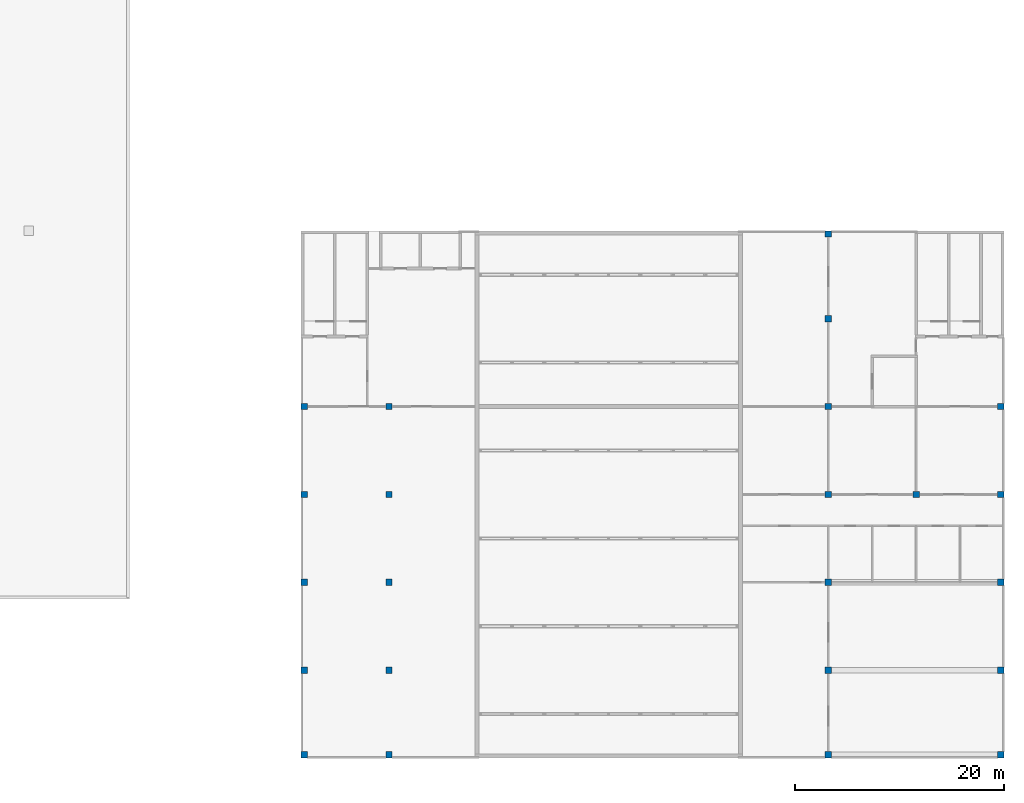
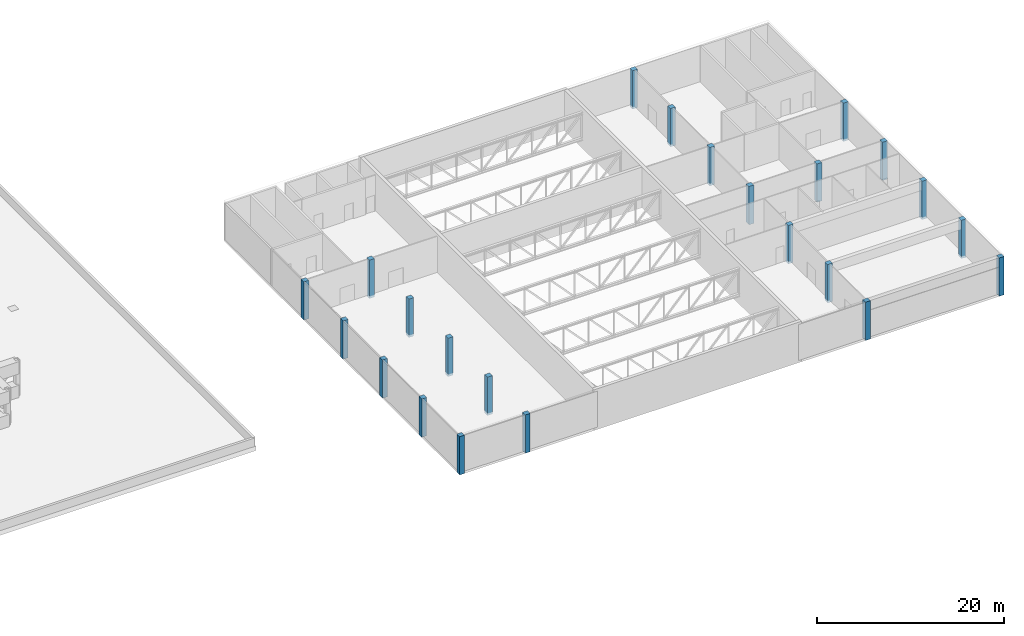
# One storey, part 1 of 26: 23 columns.
"""IFC4 building model written with IfcOpenShell, lengths in metres."""

from ifc_helpers import new_model, si_unit, direction, frame, origin, origin_2d, place, context, subcontext, project, spatial, rectangle, extrude, material, material_profile, profile_set, type_object, element, save


model = new_model("IFC4")

# Units and contexts
model_context = context("Model", 3, precision=1e-05, world=origin(), true_north=direction((0.0, 1.0)))
body_context = subcontext(model_context, "Body", "Model", "MODEL_VIEW")
ifc_project = project(units=[si_unit("LENGTHUNIT", "METRE"), si_unit("AREAUNIT", "SQUARE_METRE"), si_unit("VOLUMEUNIT", "CUBIC_METRE"), si_unit("PLANEANGLEUNIT", "RADIAN"), si_unit("MASSUNIT", "GRAM", prefix="KILO")], contexts=[model_context])

# Site, building, storey
site_placement = place(None, origin())
site = spatial("IfcSite", under=ifc_project, at=site_placement, CompositionType="ELEMENT")
building_placement = place(site_placement, origin())
building = spatial("IfcBuilding", under=site, at=building_placement, Name="Candeia Pilgrim Tower and Theatre", CompositionType="ELEMENT")
storey_placement = place(building_placement, frame((0.0, 0.0, 34.0)))
storey = spatial("IfcBuildingStorey", under=building, at=storey_placement, Name="L05", CompositionType="ELEMENT", Elevation=34.0)

# Columns
ifc_material = material(Name="Concrete C40/50", Category="concrete")
ifc_material_profile = material_profile(ifc_material, rectangle(XDim=0.60009765625, YDim=0.60009765625, at=origin_2d()))
ifc_profile_set = profile_set([ifc_material_profile], Name="Concrete C40/50")
column_type = type_object("IfcColumnType", Name="Theatre column 600x600", PredefinedType="COLUMN", material=ifc_profile_set)
for number, where, z_axis, x_axis, name in (
    (1, (176.300048828125, 66.300048828125, -0.300048828125), (0.0, 0.0, 1.0), (1.0, 0.0, 0.0), "Column TC-A1 L05"),
    (2, (176.300048828125, 74.39990234375, -0.300048828125), (0.0, 0.0, 1.0), (1.0, 0.0, 0.0), "Column TC-B1 L05"),
    (3, (176.300048828125, 82.800048828125, -0.300048828125), (0.0, 0.0, 1.0), (1.0, 0.0, 0.0), "Column TC-C1 L05"),
    (4, (176.300048828125, 91.199951171875, -0.300048828125), (0.0, 0.0, 1.0), (1.0, 0.0, 0.0), "Column TC-D1 L05"),
    (5, (176.300048828125, 99.60009765625, -0.300048828125), (0.0, 0.0, 1.0), (1.0, 0.0, 0.0), "Column TC-E1 L05"),
    (6, (184.39990234375, 66.300048828125, -0.300048828125), (0.0, 0.0, 1.0), (1.0, 0.0, 0.0), "Column TC-A2 L05"),
    (7, (184.39990234375, 74.39990234375, -0.300048828125), (0.0, 0.0, 1.0), (1.0, 0.0, 0.0), "Column TC-B2 L05"),
    (8, (184.39990234375, 82.800048828125, -0.300048828125), (0.0, 0.0, 1.0), (1.0, 0.0, 0.0), "Column TC-C2 L05"),
    (9, (184.39990234375, 91.199951171875, -0.300048828125), (0.0, 0.0, 1.0), (1.0, 0.0, 0.0), "Column TC-D2 L05"),
    (10, (184.39990234375, 99.60009765625, -0.300048828125), (0.0, 0.0, 1.0), (1.0, 0.0, 0.0), "Column TC-E2 L05"),
    (11, (226.39990234375, 66.300048828125, -0.300048828125), (0.0, 0.0, 1.0), (1.0, 0.0, 0.0), "Column TC-A7 L05"),
    (12, (226.39990234375, 74.39990234375, -0.300048828125), (0.0, 0.0, 1.0), (1.0, 0.0, 0.0), "Column TC-B7 L05"),
    (13, (226.39990234375, 82.800048828125, -0.300048828125), (0.0, 0.0, 1.0), (1.0, 0.0, 0.0), "Column TC-C7 L05"),
    (14, (226.39990234375, 91.199951171875, -0.300048828125), (0.0, 0.0, 1.0), (1.0, 0.0, 0.0), "Column TC-D7 L05"),
    (15, (226.39990234375, 99.60009765625, -0.300048828125), (0.0, 0.0, 1.0), (1.0, 0.0, 0.0), "Column TC-E7 L05"),
    (16, (226.39990234375, 108.0, -0.300048828125), (0.0, 0.0, 1.0), (1.0, 0.0, 0.0), "Column TC-F7 L05"),
    (17, (226.39990234375, 116.10009765625, -0.300048828125), (0.0, 0.0, 1.0), (1.0, 0.0, 0.0), "Column TC-G7 L05"),
    (18, (234.800048828125, 91.199951171875, -0.300048828125), (0.0, 0.0, 1.0), (1.0, 0.0, 0.0), "Column TC-D8 L05"),
    (19, (242.89990234375, 66.300048828125, -0.300048828125), (0.0, 0.0, 1.0), (1.0, 0.0, 0.0), "Column TC-A9 L05"),
    (20, (242.89990234375, 74.39990234375, -0.300048828125), (0.0, 0.0, 1.0), (1.0, 0.0, 0.0), "Column TC-B9 L05"),
    (21, (242.89990234375, 82.800048828125, -0.300048828125), (0.0, 0.0, 1.0), (1.0, 0.0, 0.0), "Column TC-C9 L05"),
    (22, (242.89990234375, 91.199951171875, -0.300048828125), (0.0, 0.0, 1.0), (1.0, 0.0, 0.0), "Column TC-D9 L05"),
    (23, (242.89990234375, 99.60009765625, -0.300048828125), (0.0, 0.0, 1.0), (1.0, 0.0, 0.0), "Column TC-E9 L05"),
):
    element("IfcColumn", number, at=place(storey_placement, frame(where, z_axis=z_axis, x_axis=x_axis)), inside=storey, type_object=column_type, Name=name, PredefinedType="COLUMN", context=body_context, shape_type="SweptSolid", body=[
        extrude(rectangle(XDim=0.60009765625, YDim=0.60009765625, at=origin_2d()), origin(), (0.0, 0.0, 1.0), 5.0),
    ])

save(model, "model.ifc")
